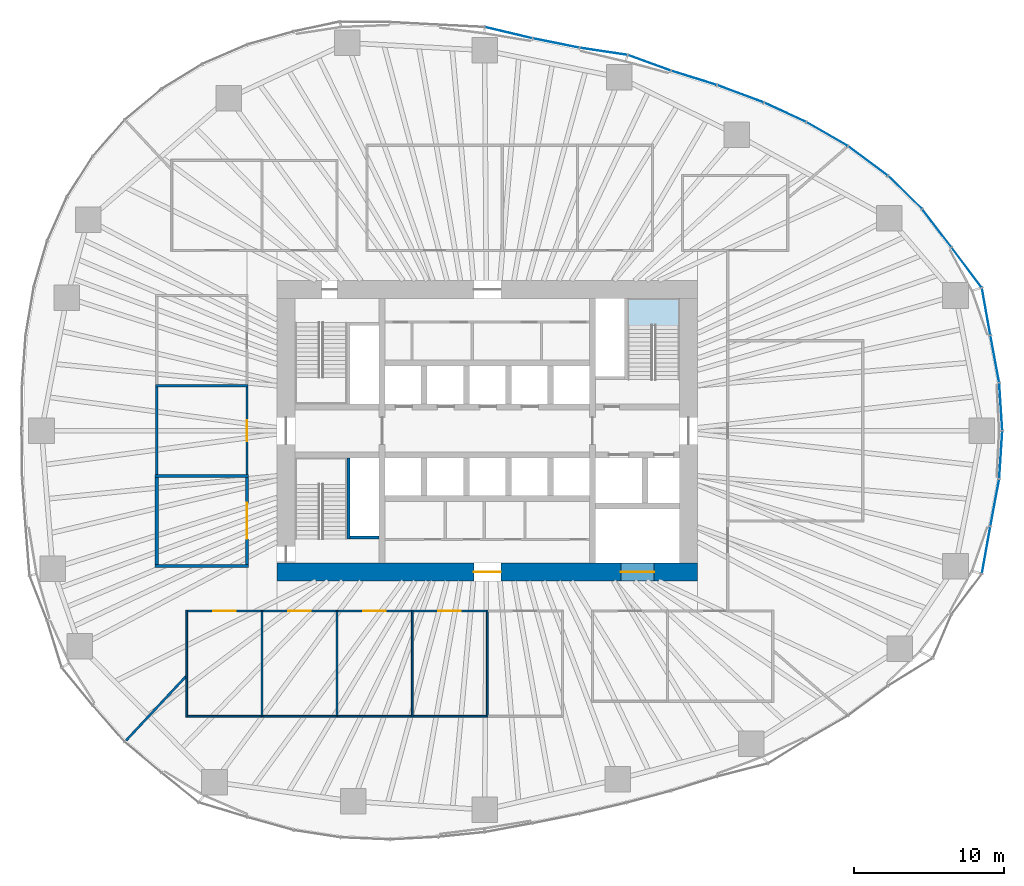
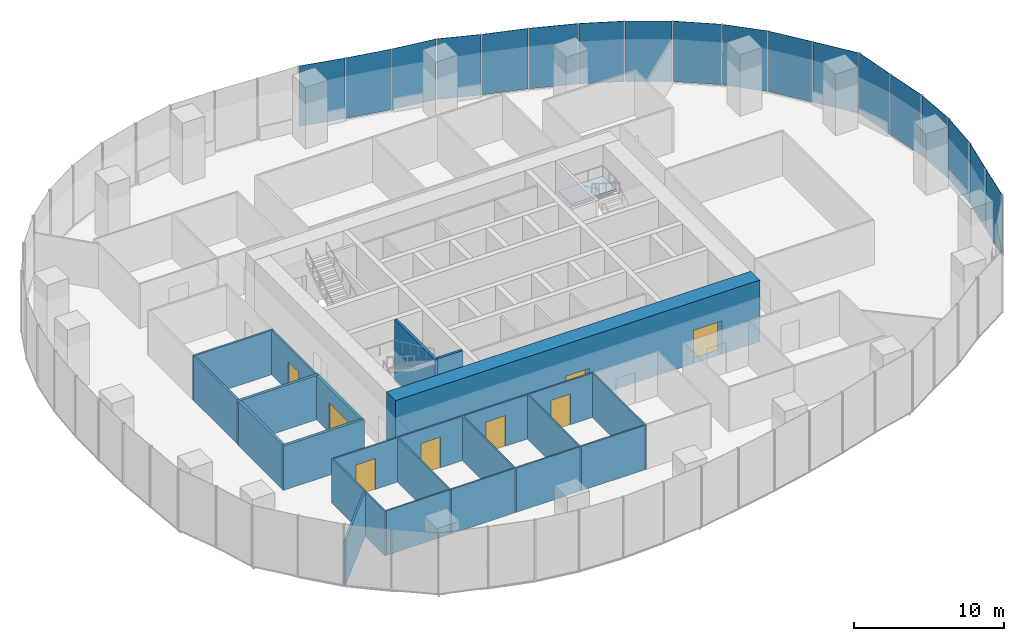
# One storey, part 9 of 20: 24 walls, 18 plates, 8 doors, 1 slab, 8 openings, 7 elements without a shape of their own.
"""IFC4 building model written with IfcOpenShell, lengths in metres."""

from ifc_helpers import new_model, si_unit, direction, frame, frame_2d, origin, origin_2d, place, context, subcontext, project, spatial, polyline, rectangle, outline, extrude, material, layer, layer_set, type_object, element, fill, aggregate, save


model = new_model("IFC4")

# Units and contexts
model_context = context("Model", 3, precision=1e-05, world=origin(), true_north=direction((0.0, 1.0)))
body_context = subcontext(model_context, "Body", "Model", "MODEL_VIEW")
ifc_project = project(units=[si_unit("LENGTHUNIT", "METRE"), si_unit("AREAUNIT", "SQUARE_METRE"), si_unit("VOLUMEUNIT", "CUBIC_METRE"), si_unit("PLANEANGLEUNIT", "RADIAN"), si_unit("MASSUNIT", "GRAM", prefix="KILO")], contexts=[model_context])

# Site, building, storey
site_placement = place(None, origin())
site = spatial("IfcSite", under=ifc_project, at=site_placement, CompositionType="ELEMENT")
building_placement = place(site_placement, origin())
building = spatial("IfcBuilding", under=site, at=building_placement, Name="Ghaith Harvest Tower", CompositionType="ELEMENT")
storey_placement = place(building_placement, frame((0.0, 0.0, 55.0)))
storey = spatial("IfcBuildingStorey", under=building, at=storey_placement, Name="L11", CompositionType="ELEMENT", Elevation=55.0)

# Curtain wall, plates
ifc_material_1 = material(Name="Black anodised aluminium and fritted glass", Category="aluminium")
curtain_wall_type = type_object("IfcCurtainWallType", Name="CW-F CURTAIN WALL", PredefinedType="NOTDEFINED", material=ifc_material_1)
curtain_wall_1_placement = place(storey_placement, origin())
curtain_wall_1 = element("IfcCurtainWall", 1, at=curtain_wall_1_placement, inside=storey, type_object=curtain_wall_type, Name="Curtain wall CW-F bay 01 L11", PredefinedType="NOTDEFINED")
ifc_material_2 = material(Name="Glass, high-transmission fritted double glazed unit", Category="glass")
ifc_layer_1 = layer(ifc_material_2, 0.028076171875)
ifc_layer_set_1 = layer_set([ifc_layer_1], Name="CW-F VISION PANEL")
plate_type = type_object("IfcPlateType", Name="CW-F VISION PANEL", PredefinedType="CURTAIN_PANEL", material=ifc_layer_set_1)
plate_1_placement = place(storey_placement, frame((34.181396484375, 1.602783203125, 0.080078125), z_axis=(0.0, 0.0, 1.0), x_axis=(-0.064445645786, 0.997921218704, 0.0)))
plate_1 = element("IfcPlate", 2, at=plate_1_placement, type_object=plate_type, Name="CW-F panel 1 bay 01 L11", PredefinedType="CURTAIN_PANEL", context=body_context, shape_type="SweptSolid", body=[
    extrude(rectangle(XDim=3.132080078125, YDim=0.028076171875, at=origin_2d()), origin(), (0.0, 0.0, 1.0), 4.919921875),
])
plate_2_placement = place(storey_placement, frame((33.78369140625, 4.78076171875, 0.080078125), z_axis=(0.0, 0.0, 1.0), x_axis=(-0.183569249502, 0.983006780565, 0.0)))
plate_2 = element("IfcPlate", 3, at=plate_2_placement, type_object=plate_type, Name="CW-F panel 2 bay 01 L11", PredefinedType="CURTAIN_PANEL", context=body_context, shape_type="SweptSolid", body=[
    extrude(rectangle(XDim=3.12548828125, YDim=0.028076171875, at=origin_2d()), origin(), (0.0, 0.0, 1.0), 4.919921875),
])
plate_3_placement = place(storey_placement, frame((33.20654296875, 7.93603515625, 0.080078125), z_axis=(0.0, 0.0, 1.0), x_axis=(-0.176319663586, 0.984332960046, 0.0)))
plate_3 = element("IfcPlate", 4, at=plate_3_placement, type_object=plate_type, Name="CW-F panel 3 bay 01 L11", PredefinedType="CURTAIN_PANEL", context=body_context, shape_type="SweptSolid", body=[
    extrude(rectangle(XDim=3.129638671875, YDim=0.028076171875, at=origin_2d()), origin(), (0.0, 0.0, 1.0), 4.919921875),
])
aggregate(curtain_wall_1, [plate_1, plate_2, plate_3])

curtain_wall_2_placement = place(storey_placement, origin())
curtain_wall_2 = element("IfcCurtainWall", 5, at=curtain_wall_2_placement, inside=storey, type_object=curtain_wall_type, Name="Curtain wall CW-F bay 02 L11", PredefinedType="NOTDEFINED")
plate_4_placement = place(storey_placement, frame((31.91015625, 10.865234375, 0.080078125), z_axis=(0.0, 0.0, 1.0), x_axis=(-0.600454091192, 0.799659230154, 0.0)))
plate_4 = element("IfcPlate", 6, at=plate_4_placement, type_object=plate_type, Name="CW-F panel 1 bay 02 L11", PredefinedType="CURTAIN_PANEL", context=body_context, shape_type="SweptSolid", body=[
    extrude(rectangle(XDim=3.295654296875, YDim=0.028076171875, at=origin_2d()), origin(), (0.0, 0.0, 1.0), 4.919921875),
])
plate_5_placement = place(storey_placement, frame((29.921875, 13.4892578125, 0.080078125), z_axis=(0.0, 0.0, 1.0), x_axis=(-0.607611877494, 0.794234100457, 0.0)))
plate_5 = element("IfcPlate", 7, at=plate_5_placement, type_object=plate_type, Name="CW-F panel 2 bay 02 L11", PredefinedType="CURTAIN_PANEL", context=body_context, shape_type="SweptSolid", body=[
    extrude(rectangle(XDim=3.128662109375, YDim=0.028076171875, at=origin_2d()), origin(), (0.0, 0.0, 1.0), 4.919921875),
])
plate_6_placement = place(storey_placement, frame((27.810546875, 15.869384765625, 0.080078125), z_axis=(0.0, 0.0, 1.0), x_axis=(-0.716691335472, 0.69739051446, 0.0)))
plate_6 = element("IfcPlate", 8, at=plate_6_placement, type_object=plate_type, Name="CW-F panel 3 bay 02 L11", PredefinedType="CURTAIN_PANEL", context=body_context, shape_type="SweptSolid", body=[
    extrude(rectangle(XDim=3.092041015625, YDim=0.028076171875, at=origin_2d()), origin(), (0.0, 0.0, 1.0), 4.919921875),
])
aggregate(curtain_wall_2, [plate_4, plate_5, plate_6])

curtain_wall_3_placement = place(storey_placement, origin())
curtain_wall_3 = element("IfcCurtainWall", 9, at=curtain_wall_3_placement, inside=storey, type_object=curtain_wall_type, Name="Curtain wall CW-F bay 03 L11", PredefinedType="NOTDEFINED")
plate_7_placement = place(storey_placement, frame((25.34619140625, 17.96142578125, 0.080078125), z_axis=(0.0, 0.0, 1.0), x_axis=(-0.802866788578, 0.596158468697, 0.0)))
plate_7 = element("IfcPlate", 10, at=plate_7_placement, type_object=plate_type, Name="CW-F panel 1 bay 03 L11", PredefinedType="CURTAIN_PANEL", context=body_context, shape_type="SweptSolid", body=[
    extrude(rectangle(XDim=3.2275390625, YDim=0.028076171875, at=origin_2d()), origin(), (0.0, 0.0, 1.0), 4.919921875),
])
plate_8_placement = place(storey_placement, frame((22.626953125, 19.750244140625, 0.080078125), z_axis=(0.0, 0.0, 1.0), x_axis=(-0.866159208358, 0.499768172033, 0.0)))
plate_8 = element("IfcPlate", 11, at=plate_8_placement, type_object=plate_type, Name="CW-F panel 2 bay 03 L11", PredefinedType="CURTAIN_PANEL", context=body_context, shape_type="SweptSolid", body=[
    extrude(rectangle(XDim=3.1328125, YDim=0.028076171875, at=origin_2d()), origin(), (0.0, 0.0, 1.0), 4.919921875),
])
plate_9_placement = place(storey_placement, frame((19.8291015625, 21.19970703125, 0.080078125), z_axis=(0.0, 0.0, 1.0), x_axis=(-0.908529586897, 0.417820523351, 0.0)))
plate_9 = element("IfcPlate", 12, at=plate_9_placement, type_object=plate_type, Name="CW-F panel 3 bay 03 L11", PredefinedType="CURTAIN_PANEL", context=body_context, shape_type="SweptSolid", body=[
    extrude(rectangle(XDim=3.01611328125, YDim=0.028076171875, at=origin_2d()), origin(), (0.0, 0.0, 1.0), 4.919921875),
])
aggregate(curtain_wall_3, [plate_7, plate_8, plate_9])

curtain_wall_4_placement = place(storey_placement, origin())
curtain_wall_4 = element("IfcCurtainWall", 13, at=curtain_wall_4_placement, inside=storey, type_object=curtain_wall_type, Name="Curtain wall CW-F bay 04 L11", PredefinedType="NOTDEFINED")
plate_10_placement = place(storey_placement, frame((16.85498046875, 22.431396484375, 0.080078125), z_axis=(0.0, 0.0, 1.0), x_axis=(-0.936926487964, 0.349526474178, 0.0)))
plate_10 = element("IfcPlate", 14, at=plate_10_placement, type_object=plate_type, Name="CW-F panel 1 bay 04 L11", PredefinedType="CURTAIN_PANEL", context=body_context, shape_type="SweptSolid", body=[
    extrude(rectangle(XDim=3.26611328125, YDim=0.028076171875, at=origin_2d()), origin(), (0.0, 0.0, 1.0), 4.919921875),
])
plate_11_placement = place(storey_placement, frame((13.760986328125, 23.490234375, 0.080078125), z_axis=(0.0, 0.0, 1.0), x_axis=(-0.954988265421, 0.296643578911, 0.0)))
plate_11 = element("IfcPlate", 15, at=plate_11_placement, type_object=plate_type, Name="CW-F panel 2 bay 04 L11", PredefinedType="CURTAIN_PANEL", context=body_context, shape_type="SweptSolid", body=[
    extrude(rectangle(XDim=3.1171875, YDim=0.028076171875, at=origin_2d()), origin(), (0.0, 0.0, 1.0), 4.919921875),
])
plate_12_placement = place(storey_placement, frame((10.793212890625, 24.490234375, 0.080078125), z_axis=(0.0, 0.0, 1.0), x_axis=(-0.939438435482, 0.342717705902, 0.0)))
plate_12 = element("IfcPlate", 16, at=plate_12_placement, type_object=plate_type, Name="CW-F panel 3 bay 04 L11", PredefinedType="CURTAIN_PANEL", context=body_context, shape_type="SweptSolid", body=[
    extrude(rectangle(XDim=2.98828125, YDim=0.028076171875, at=origin_2d()), origin(), (0.0, 0.0, 1.0), 4.919921875),
])
aggregate(curtain_wall_4, [plate_10, plate_11, plate_12])

curtain_wall_5_placement = place(storey_placement, origin())
curtain_wall_5 = element("IfcCurtainWall", 17, at=curtain_wall_5_placement, inside=storey, type_object=curtain_wall_type, Name="Curtain wall CW-F bay 05 L11", PredefinedType="NOTDEFINED")
plate_13_placement = place(storey_placement, frame((7.744384765625, 25.255615234375, 0.080078125), z_axis=(0.0, 0.0, 1.0), x_axis=(-0.989074249382, 0.147418211935, 0.0)))
plate_13 = element("IfcPlate", 18, at=plate_13_placement, type_object=plate_type, Name="CW-F panel 1 bay 05 L11", PredefinedType="CURTAIN_PANEL", context=body_context, shape_type="SweptSolid", body=[
    extrude(rectangle(XDim=3.17041015625, YDim=0.028076171875, at=origin_2d()), origin(), (0.0, 0.0, 1.0), 4.919921875),
])
plate_14_placement = place(storey_placement, frame((4.5732421875, 25.809326171875, 0.080078125), z_axis=(0.0, 0.0, 1.0), x_axis=(-0.980432348069, 0.196856320344, 0.0)))
plate_14 = element("IfcPlate", 19, at=plate_14_placement, type_object=plate_type, Name="CW-F panel 2 bay 05 L11", PredefinedType="CURTAIN_PANEL", context=body_context, shape_type="SweptSolid", body=[
    extrude(rectangle(XDim=3.1103515625, YDim=0.028076171875, at=origin_2d()), origin(), (0.0, 0.0, 1.0), 4.919921875),
])
plate_15_placement = place(storey_placement, frame((1.41259765625, 26.500244140625, 0.080078125), z_axis=(0.0, 0.0, 1.0), x_axis=(-0.97324595378, 0.229765779545, 0.0)))
plate_15 = element("IfcPlate", 20, at=plate_15_placement, type_object=plate_type, Name="CW-F panel 3 bay 05 L11", PredefinedType="CURTAIN_PANEL", context=body_context, shape_type="SweptSolid", body=[
    extrude(rectangle(XDim=3.200927734375, YDim=0.028076171875, at=origin_2d()), origin(), (0.0, 0.0, 1.0), 4.919921875),
])
aggregate(curtain_wall_5, [plate_13, plate_14, plate_15])

curtain_wall_6_placement = place(storey_placement, origin())
curtain_wall_6 = element("IfcCurtainWall", 21, at=curtain_wall_6_placement, inside=storey, type_object=curtain_wall_type, Name="Curtain wall CW-F bay 20 L11", PredefinedType="NOTDEFINED")
plate_16_placement = place(storey_placement, frame((33.20654296875, -7.93603515625, 0.080078125), z_axis=(0.0, 0.0, 1.0), x_axis=(0.176319663878, 0.984332959994, 0.0)))
plate_16 = element("IfcPlate", 22, at=plate_16_placement, type_object=plate_type, Name="CW-F panel 1 bay 20 L11", PredefinedType="CURTAIN_PANEL", context=body_context, shape_type="SweptSolid", body=[
    extrude(rectangle(XDim=3.129638671875, YDim=0.028076171875, at=origin_2d()), origin(), (0.0, 0.0, 1.0), 4.919921875),
])
plate_17_placement = place(storey_placement, frame((33.78369140625, -4.78076171875, 0.080078125), z_axis=(0.0, 0.0, 1.0), x_axis=(0.183569249777, 0.983006780514, 0.0)))
plate_17 = element("IfcPlate", 23, at=plate_17_placement, type_object=plate_type, Name="CW-F panel 2 bay 20 L11", PredefinedType="CURTAIN_PANEL", context=body_context, shape_type="SweptSolid", body=[
    extrude(rectangle(XDim=3.12548828125, YDim=0.028076171875, at=origin_2d()), origin(), (0.0, 0.0, 1.0), 4.919921875),
])
plate_18_placement = place(storey_placement, frame((34.181396484375, -1.602783203125, 0.080078125), z_axis=(0.0, 0.0, 1.0), x_axis=(0.064445645891, 0.997921218697, 0.0)))
plate_18 = element("IfcPlate", 24, at=plate_18_placement, type_object=plate_type, Name="CW-F panel 3 bay 20 L11", PredefinedType="CURTAIN_PANEL", context=body_context, shape_type="SweptSolid", body=[
    extrude(rectangle(XDim=3.132080078125, YDim=0.028076171875, at=origin_2d()), origin(), (0.0, 0.0, 1.0), 4.919921875),
])
aggregate(curtain_wall_6, [plate_16, plate_17, plate_18])

# Stair, slab
ifc_material_3 = material(Name="Concrete C40/50, precast", Category="concrete")
stair_type = type_object("IfcStairType", Name="CORE STAIR 28R", PredefinedType="HALF_TURN_STAIR", material=ifc_material_3)
stair_placement = place(storey_placement, origin())
stair = element("IfcStair", 25, at=stair_placement, inside=storey, type_object=stair_type, Name="Stair ST2 L11", PredefinedType="HALF_TURN_STAIR")
ifc_material_4 = material(Name="Concrete C40/50, precast", Category="concrete")
ifc_layer_2 = layer(ifc_material_4, 0.179931640625)
ifc_layer_set_2 = layer_set([ifc_layer_2], Name="STAIR LANDING 180")
slab_type = type_object("IfcSlabType", Name="STAIR LANDING 180", PredefinedType="LANDING", material=ifc_layer_set_2)
slab_placement = place(storey_placement, frame((0.0, 0.0, 2.320068359375)))
slab = element("IfcSlab", 26, at=slab_placement, type_object=slab_type, Name="ST2 landing 1", PredefinedType="LANDING", context=body_context, shape_type="SweptSolid", body=[
    extrude(outline(polyline([(12.800048828125, 7.02001953125), (12.800048828125, 8.800048828125), (9.35009765625, 8.800048828125), (9.35009765625, 7.02001953125), (12.800048828125, 7.02001953125)])), origin(), (0.0, 0.0, 1.0), 0.179931640625),
])
aggregate(stair, [slab])

# Walls
ifc_material_5 = material(Name="Concrete blockwork, 1-hour", Category="masonry")
ifc_layer_3 = layer(ifc_material_5, 0.215087890625)
ifc_layer_set_3 = layer_set([ifc_layer_3], Name="BLOCKWORK WALL 215")
wall_type_1 = type_object("IfcWallType", Name="BLOCKWORK WALL 215", PredefinedType="PARTITIONING", material=ifc_layer_set_3)
for number, where, z_axis, x_axis, name in (
    (27, (-15.892578125, -9.0, 0.0), (0.0, 0.0, 1.0), (-1.0, 0.0, 0.0), "Partition L11 row W6 cross wall 1"),
    (28, (-15.892578125, -3.0, 0.0), (0.0, 0.0, 1.0), (-1.0, 0.0, 0.0), "Partition L11 row W6 cross wall 2"),
):
    element("IfcWall", number, at=place(storey_placement, frame(where, z_axis=z_axis, x_axis=x_axis)), inside=storey, type_object=wall_type_1, Name=name, PredefinedType="PARTITIONING", context=body_context, shape_type="SweptSolid", body=[
        extrude(rectangle(XDim=6.21484375, YDim=0.215087890625, at=frame_2d((3.107421875, 0.0))), origin(), (0.0, 0.0, 1.0), 3.60009765625),
    ])

# Wall, opening, door
wall_1_placement = place(storey_placement, frame((-16.0, -8.892578125, 0.0), z_axis=(0.0, 0.0, 1.0), x_axis=(0.0, 1.0, 0.0)))
wall_1 = element("IfcWall", 29, at=wall_1_placement, inside=storey, type_object=wall_type_1, Name="Partition L11-14", PredefinedType="PARTITIONING", context=body_context, shape_type="SweptSolid", body=[
    extrude(rectangle(XDim=5.78515625, YDim=0.215087890625, at=frame_2d((2.892578125, 0.0))), origin(), (0.0, 0.0, 1.0), 3.60009765625),
])
opening_1_placement = place(wall_1_placement, frame((1.6923828125, 0.0, 0.0)))
opening_1 = element("IfcOpeningElement", 30, at=opening_1_placement, cuts=wall_1, Name="Opening 11-038", PredefinedType="OPENING", context=body_context, shape_type="SweptSolid", body=[
    extrude(rectangle(XDim=2.39990234375, YDim=2.39990234375, at=frame_2d((1.199951171875, 1.199951171875))), frame((0.0, 0.11767578125, 0.0), z_axis=(0.0, -1.0, 0.0), x_axis=(1.0, 0.0, 0.0)), (0.0, 0.0, 1.0), 0.235107421875),
])
ifc_material_6 = material(Name="Timber door", Category="wood")
door_type_1 = type_object("IfcDoorType", Name="D10 PLANT PAIR 2400x2400", OperationType="DOUBLE_DOOR_SINGLE_SWING", PredefinedType="DOOR", material=ifc_material_6)
door_1_placement = place(opening_1_placement, origin())
door_1 = element("IfcDoor", 31, at=door_1_placement, inside=storey, type_object=door_type_1, Name="Nutrient tank room door", OperationType="DOUBLE_DOOR_SINGLE_SWING", OverallHeight=2.39990234375, OverallWidth=2.39990234375, PredefinedType="DOOR", context=body_context, shape_type="SweptSolid", body=[
    extrude(rectangle(XDim=2.39990234375, YDim=2.39990234375, at=frame_2d((1.199951171875, 1.199951171875))), frame((0.0, 0.02490234375, 0.0), z_axis=(0.0, -1.0, 0.0), x_axis=(1.0, 0.0, 0.0)), (0.0, 0.0, 1.0), 0.050048828125),
])
fill(opening_1, door_1)

# Wall
wall_2_placement = place(storey_placement, frame((-22.0, -8.892578125, 0.0), z_axis=(0.0, 0.0, 1.0), x_axis=(0.0, 1.0, 0.0)))
element("IfcWall", 32, at=wall_2_placement, inside=storey, type_object=wall_type_1, Name="Partition L11-14", PredefinedType="PARTITIONING", context=body_context, shape_type="SweptSolid", body=[
    extrude(rectangle(XDim=5.78515625, YDim=0.215087890625, at=frame_2d((2.892578125, 0.0))), origin(), (0.0, 0.0, 1.0), 3.60009765625),
])

# Wall, openings, doors
ifc_material_7 = material(Name="Concrete C70/85", Category="concrete")
ifc_layer_4 = layer(ifc_material_7, 1.199951171875)
ifc_layer_set_4 = layer_set([ifc_layer_4], Name="CORE WALL CW1200")
wall_type_2 = type_object("IfcWallType", Name="CORE WALL CW1200", PredefinedType="SHEAR", material=ifc_layer_set_4)
wall_3_placement = place(storey_placement, frame((-14.0, -9.39990234375, 0.0), z_axis=(0.0, 0.0, 1.0), x_axis=(1.0, 0.0, 0.0)))
wall_3 = element("IfcWall", 33, at=wall_3_placement, inside=storey, type_object=wall_type_2, Name="Core wall S L11", PredefinedType="SHEAR", context=body_context, shape_type="SweptSolid", body=[
    extrude(rectangle(XDim=28.0, YDim=1.199951171875, at=frame_2d((14.0, 0.0))), origin(), (0.0, 0.0, 1.0), 5.0),
])
opening_2_placement = place(wall_3_placement, frame((13.10009765625, 0.0, 0.0)))
opening_2 = element("IfcOpeningElement", 34, at=opening_2_placement, cuts=wall_3, Name="Opening 11-017", PredefinedType="OPENING", context=body_context, shape_type="SweptSolid", body=[
    extrude(rectangle(XDim=1.800048828125, YDim=2.39990234375, at=frame_2d((0.89990234375, 1.199951171875))), frame((0.0, 0.60986328125, 0.0), z_axis=(0.0, -1.0, 0.0), x_axis=(1.0, 0.0, 0.0)), (0.0, 0.0, 1.0), 1.219970703125),
])
opening_3_placement = place(wall_3_placement, frame((22.89990234375, 0.0, 0.0)))
opening_3 = element("IfcOpeningElement", 35, at=opening_3_placement, cuts=wall_3, Name="Opening 11-024", PredefinedType="OPENING", context=body_context, shape_type="SweptSolid", body=[
    extrude(rectangle(XDim=2.199951171875, YDim=2.699951171875, at=frame_2d((1.10009765625, 1.35009765625))), frame((0.0, 0.60986328125, 0.0), z_axis=(0.0, -1.0, 0.0), x_axis=(1.0, 0.0, 0.0)), (0.0, 0.0, 1.0), 1.219970703125),
])
ifc_material_8 = material(Name="Steel fire door", Category="steel")
door_type_2 = type_object("IfcDoorType", Name="D4 FD90 PAIR 1800x2400", OperationType="DOUBLE_DOOR_SINGLE_SWING", PredefinedType="DOOR", material=ifc_material_8)
door_2_placement = place(opening_2_placement, origin())
door_2 = element("IfcDoor", 36, at=door_2_placement, inside=storey, type_object=door_type_2, Name="Core service corridor doors", OperationType="DOUBLE_DOOR_SINGLE_SWING", OverallHeight=2.39990234375, OverallWidth=1.800048828125, PredefinedType="DOOR", context=body_context, shape_type="SweptSolid", body=[
    extrude(rectangle(XDim=1.800048828125, YDim=2.39990234375, at=frame_2d((0.89990234375, 1.199951171875))), frame((0.0, 0.02490234375, 0.0), z_axis=(0.0, -1.0, 0.0), x_axis=(1.0, 0.0, 0.0)), (0.0, 0.0, 1.0), 0.050048828125),
])
fill(opening_2, door_2)
ifc_material_9 = material(Name="Steel fire door", Category="steel")
door_type_3 = type_object("IfcDoorType", Name="LD3 LANDING 2200x2700", OperationType="DOUBLE_DOOR_SLIDING", PredefinedType="DOOR", material=ifc_material_9)
door_3_placement = place(opening_3_placement, origin())
door_3 = element("IfcDoor", 37, at=door_3_placement, inside=storey, type_object=door_type_3, Name="Landing door, goods lift GL1", OperationType="DOUBLE_DOOR_SLIDING", OverallHeight=2.699951171875, OverallWidth=2.199951171875, PredefinedType="DOOR", context=body_context, shape_type="SweptSolid", body=[
    extrude(rectangle(XDim=2.199951171875, YDim=2.699951171875, at=frame_2d((1.10009765625, 1.35009765625))), frame((0.0, 0.02490234375, 0.0), z_axis=(0.0, -1.0, 0.0), x_axis=(1.0, 0.0, 0.0)), (0.0, 0.0, 1.0), 0.050048828125),
])
fill(opening_3, door_3)

# Walls
ifc_material_10 = material(Name="Insulated food-grade panel", Category="steel")
ifc_layer_5 = layer(ifc_material_10, 0.1201171875)
ifc_layer_set_5 = layer_set([ifc_layer_5], Name="INSULATED PANEL WALL 120")
wall_type_3 = type_object("IfcWallType", Name="INSULATED PANEL WALL 120", PredefinedType="PARTITIONING", material=ifc_layer_set_5)
for number, where, z_axis, x_axis, name in (
    (38, (-20.0, -11.93994140625, 0.0), (0.0, 0.0, 1.0), (0.0, -1.0, 0.0), "Partition L11 row S1 cross wall 1"),
    (39, (-15.0, -11.93994140625, 0.0), (0.0, 0.0, 1.0), (0.0, -1.0, 0.0), "Partition L11 row S1 cross wall 2"),
    (40, (-10.0, -11.93994140625, 0.0), (0.0, 0.0, 1.0), (0.0, -1.0, 0.0), "Partition L11 row S1 cross wall 3"),
    (41, (-5.0, -11.93994140625, 0.0), (0.0, 0.0, 1.0), (0.0, -1.0, 0.0), "Partition L11 row S1 cross wall 4"),
    (42, (0.0, -11.93994140625, 0.0), (0.0, 0.0, 1.0), (0.0, -1.0, 0.0), "Partition L11 row S1 cross wall 5"),
):
    element("IfcWall", number, at=place(storey_placement, frame(where, z_axis=z_axis, x_axis=x_axis)), inside=storey, type_object=wall_type_3, Name=name, PredefinedType="PARTITIONING", context=body_context, shape_type="SweptSolid", body=[
        extrude(rectangle(XDim=7.1201171875, YDim=0.1201171875, at=frame_2d((3.56005859375, 0.0))), origin(), (0.0, 0.0, 1.0), 3.60009765625),
    ])

# Wall, opening, door
wall_4_placement = place(storey_placement, frame((-19.93994140625, -12.0, 0.0), z_axis=(0.0, 0.0, 1.0), x_axis=(1.0, 0.0, 0.0)))
wall_4 = element("IfcWall", 43, at=wall_4_placement, inside=storey, type_object=wall_type_3, Name="Partition L11-01", PredefinedType="PARTITIONING", context=body_context, shape_type="SweptSolid", body=[
    extrude(rectangle(XDim=4.8798828125, YDim=0.1201171875, at=frame_2d((2.43994140625, 0.0))), origin(), (0.0, 0.0, 1.0), 3.60009765625),
])
opening_4_placement = place(wall_4_placement, frame((1.68994140625, 0.0, 0.0)))
opening_4 = element("IfcOpeningElement", 44, at=opening_4_placement, cuts=wall_4, Name="Opening 11-025", PredefinedType="OPENING", context=body_context, shape_type="SweptSolid", body=[
    extrude(rectangle(XDim=1.5, YDim=2.5, at=frame_2d((0.75, 1.25))), frame((0.0, 0.070068359375, 0.0), z_axis=(0.0, -1.0, 0.0), x_axis=(1.0, 0.0, 0.0)), (0.0, 0.0, 1.0), 0.14013671875),
])
ifc_material_11 = material(Name="Insulated steel sliding door", Category="steel")
door_type_4 = type_object("IfcDoorType", Name="D13 COLD STORE SLIDING 1500x2500", OperationType="SLIDING_TO_LEFT", PredefinedType="DOOR", material=ifc_material_11)
door_4_placement = place(opening_4_placement, origin())
door_4 = element("IfcDoor", 45, at=door_4_placement, inside=storey, type_object=door_type_4, Name="Microgreen chamber door", OperationType="SLIDING_TO_LEFT", OverallHeight=2.5, OverallWidth=1.5, PredefinedType="DOOR", context=body_context, shape_type="SweptSolid", body=[
    extrude(rectangle(XDim=1.5, YDim=2.5, at=frame_2d((0.75, 1.25))), frame((0.0, 0.02490234375, 0.0), z_axis=(0.0, -1.0, 0.0), x_axis=(1.0, 0.0, 0.0)), (0.0, 0.0, 1.0), 0.050048828125),
])
fill(opening_4, door_4)

# Wall
wall_5_placement = place(storey_placement, frame((-19.93994140625, -19.0, 0.0), z_axis=(0.0, 0.0, 1.0), x_axis=(1.0, 0.0, 0.0)))
element("IfcWall", 46, at=wall_5_placement, inside=storey, type_object=wall_type_3, Name="Partition L11-01", PredefinedType="PARTITIONING", context=body_context, shape_type="SweptSolid", body=[
    extrude(rectangle(XDim=4.8798828125, YDim=0.1201171875, at=frame_2d((2.43994140625, 0.0))), origin(), (0.0, 0.0, 1.0), 3.60009765625),
])

# Wall, opening, door
wall_6_placement = place(storey_placement, frame((-14.93994140625, -12.0, 0.0), z_axis=(0.0, 0.0, 1.0), x_axis=(1.0, 0.0, 0.0)))
wall_6 = element("IfcWall", 47, at=wall_6_placement, inside=storey, type_object=wall_type_3, Name="Partition L11-02", PredefinedType="PARTITIONING", context=body_context, shape_type="SweptSolid", body=[
    extrude(rectangle(XDim=4.8798828125, YDim=0.1201171875, at=frame_2d((2.43994140625, 0.0))), origin(), (0.0, 0.0, 1.0), 3.60009765625),
])
opening_5_placement = place(wall_6_placement, frame((1.68994140625, 0.0, 0.0)))
opening_5 = element("IfcOpeningElement", 48, at=opening_5_placement, cuts=wall_6, Name="Opening 11-026", PredefinedType="OPENING", context=body_context, shape_type="SweptSolid", body=[
    extrude(rectangle(XDim=1.5, YDim=2.5, at=frame_2d((0.75, 1.25))), frame((0.0, 0.070068359375, 0.0), z_axis=(0.0, -1.0, 0.0), x_axis=(1.0, 0.0, 0.0)), (0.0, 0.0, 1.0), 0.14013671875),
])
door_5_placement = place(opening_5_placement, origin())
door_5 = element("IfcDoor", 49, at=door_5_placement, inside=storey, type_object=door_type_4, Name="Microgreen chamber door", OperationType="SLIDING_TO_LEFT", OverallHeight=2.5, OverallWidth=1.5, PredefinedType="DOOR", context=body_context, shape_type="SweptSolid", body=[
    extrude(rectangle(XDim=1.5, YDim=2.5, at=frame_2d((0.75, 1.25))), frame((0.0, 0.02490234375, 0.0), z_axis=(0.0, -1.0, 0.0), x_axis=(1.0, 0.0, 0.0)), (0.0, 0.0, 1.0), 0.050048828125),
])
fill(opening_5, door_5)

# Wall
wall_7_placement = place(storey_placement, frame((-14.93994140625, -19.0, 0.0), z_axis=(0.0, 0.0, 1.0), x_axis=(1.0, 0.0, 0.0)))
element("IfcWall", 50, at=wall_7_placement, inside=storey, type_object=wall_type_3, Name="Partition L11-02", PredefinedType="PARTITIONING", context=body_context, shape_type="SweptSolid", body=[
    extrude(rectangle(XDim=4.8798828125, YDim=0.1201171875, at=frame_2d((2.43994140625, 0.0))), origin(), (0.0, 0.0, 1.0), 3.60009765625),
])

# Wall, opening, door
wall_8_placement = place(storey_placement, frame((-9.93994140625, -12.0, 0.0), z_axis=(0.0, 0.0, 1.0), x_axis=(1.0, 0.0, 0.0)))
wall_8 = element("IfcWall", 51, at=wall_8_placement, inside=storey, type_object=wall_type_3, Name="Partition L11-03", PredefinedType="PARTITIONING", context=body_context, shape_type="SweptSolid", body=[
    extrude(rectangle(XDim=4.8798828125, YDim=0.1201171875, at=frame_2d((2.43994140625, 0.0))), origin(), (0.0, 0.0, 1.0), 3.60009765625),
])
opening_6_placement = place(wall_8_placement, frame((1.68994140625, 0.0, 0.0)))
opening_6 = element("IfcOpeningElement", 52, at=opening_6_placement, cuts=wall_8, Name="Opening 11-027", PredefinedType="OPENING", context=body_context, shape_type="SweptSolid", body=[
    extrude(rectangle(XDim=1.5, YDim=2.5, at=frame_2d((0.75, 1.25))), frame((0.0, 0.070068359375, 0.0), z_axis=(0.0, -1.0, 0.0), x_axis=(1.0, 0.0, 0.0)), (0.0, 0.0, 1.0), 0.14013671875),
])
door_6_placement = place(opening_6_placement, origin())
door_6 = element("IfcDoor", 53, at=door_6_placement, inside=storey, type_object=door_type_4, Name="Microgreen chamber door", OperationType="SLIDING_TO_LEFT", OverallHeight=2.5, OverallWidth=1.5, PredefinedType="DOOR", context=body_context, shape_type="SweptSolid", body=[
    extrude(rectangle(XDim=1.5, YDim=2.5, at=frame_2d((0.75, 1.25))), frame((0.0, 0.02490234375, 0.0), z_axis=(0.0, -1.0, 0.0), x_axis=(1.0, 0.0, 0.0)), (0.0, 0.0, 1.0), 0.050048828125),
])
fill(opening_6, door_6)

# Wall
wall_9_placement = place(storey_placement, frame((-9.93994140625, -19.0, 0.0), z_axis=(0.0, 0.0, 1.0), x_axis=(1.0, 0.0, 0.0)))
element("IfcWall", 54, at=wall_9_placement, inside=storey, type_object=wall_type_3, Name="Partition L11-03", PredefinedType="PARTITIONING", context=body_context, shape_type="SweptSolid", body=[
    extrude(rectangle(XDim=4.8798828125, YDim=0.1201171875, at=frame_2d((2.43994140625, 0.0))), origin(), (0.0, 0.0, 1.0), 3.60009765625),
])

# Wall, opening, door
wall_10_placement = place(storey_placement, frame((-4.93994140625, -12.0, 0.0), z_axis=(0.0, 0.0, 1.0), x_axis=(1.0, 0.0, 0.0)))
wall_10 = element("IfcWall", 55, at=wall_10_placement, inside=storey, type_object=wall_type_3, Name="Partition L11-04", PredefinedType="PARTITIONING", context=body_context, shape_type="SweptSolid", body=[
    extrude(rectangle(XDim=4.8798828125, YDim=0.1201171875, at=frame_2d((2.43994140625, 0.0))), origin(), (0.0, 0.0, 1.0), 3.60009765625),
])
opening_7_placement = place(wall_10_placement, frame((1.68994140625, 0.0, 0.0)))
opening_7 = element("IfcOpeningElement", 56, at=opening_7_placement, cuts=wall_10, Name="Opening 11-028", PredefinedType="OPENING", context=body_context, shape_type="SweptSolid", body=[
    extrude(rectangle(XDim=1.5, YDim=2.5, at=frame_2d((0.75, 1.25))), frame((0.0, 0.070068359375, 0.0), z_axis=(0.0, -1.0, 0.0), x_axis=(1.0, 0.0, 0.0)), (0.0, 0.0, 1.0), 0.14013671875),
])
door_7_placement = place(opening_7_placement, origin())
door_7 = element("IfcDoor", 57, at=door_7_placement, inside=storey, type_object=door_type_4, Name="Microgreen chamber door", OperationType="SLIDING_TO_LEFT", OverallHeight=2.5, OverallWidth=1.5, PredefinedType="DOOR", context=body_context, shape_type="SweptSolid", body=[
    extrude(rectangle(XDim=1.5, YDim=2.5, at=frame_2d((0.75, 1.25))), frame((0.0, 0.02490234375, 0.0), z_axis=(0.0, -1.0, 0.0), x_axis=(1.0, 0.0, 0.0)), (0.0, 0.0, 1.0), 0.050048828125),
])
fill(opening_7, door_7)

# Walls
wall_11_placement = place(storey_placement, frame((-4.93994140625, -19.0, 0.0), z_axis=(0.0, 0.0, 1.0), x_axis=(1.0, 0.0, 0.0)))
element("IfcWall", 58, at=wall_11_placement, inside=storey, type_object=wall_type_3, Name="Partition L11-04", PredefinedType="PARTITIONING", context=body_context, shape_type="SweptSolid", body=[
    extrude(rectangle(XDim=4.8798828125, YDim=0.1201171875, at=frame_2d((2.43994140625, 0.0))), origin(), (0.0, 0.0, 1.0), 3.60009765625),
])
ifc_material_12 = material(Name="Gypsum board on steel studs", Category="steel")
ifc_layer_6 = layer(ifc_material_12, 0.14990234375)
ifc_layer_set_6 = layer_set([ifc_layer_6], Name="PARTITION 150")
wall_type_4 = type_object("IfcWallType", Name="PARTITION 150", PredefinedType="PARTITIONING", material=ifc_layer_set_6)
wall_12_placement = place(storey_placement, frame((-15.925048828125, 3.0, 0.0), z_axis=(0.0, 0.0, 1.0), x_axis=(-1.0, 0.0, 0.0)))
element("IfcWall", 59, at=wall_12_placement, inside=storey, type_object=wall_type_4, Name="Partition L11 row W6 cross wall 3", PredefinedType="PARTITIONING", context=body_context, shape_type="SweptSolid", body=[
    extrude(rectangle(XDim=6.14990234375, YDim=0.14990234375, at=frame_2d((3.074951171875, 0.0))), origin(), (0.0, 0.0, 1.0), 3.60009765625),
])

# Wall, opening, door
wall_13_placement = place(storey_placement, frame((-16.0, -2.892578125, 0.0), z_axis=(0.0, 0.0, 1.0), x_axis=(0.0, 1.0, 0.0)))
wall_13 = element("IfcWall", 60, at=wall_13_placement, inside=storey, type_object=wall_type_4, Name="Partition L11-15", PredefinedType="PARTITIONING", context=body_context, shape_type="SweptSolid", body=[
    extrude(rectangle(XDim=5.817626953125, YDim=0.14990234375, at=frame_2d((2.90869140625, 0.0))), origin(), (0.0, 0.0, 1.0), 3.60009765625),
])
opening_8_placement = place(wall_13_placement, frame((2.208740234375, 0.0, 0.0)))
opening_8 = element("IfcOpeningElement", 61, at=opening_8_placement, cuts=wall_13, Name="Opening 11-039", PredefinedType="OPENING", context=body_context, shape_type="SweptSolid", body=[
    extrude(rectangle(XDim=1.39990234375, YDim=2.39990234375, at=frame_2d((0.699951171875, 1.199951171875))), frame((0.0, 0.0849609375, 0.0), z_axis=(0.0, -1.0, 0.0), x_axis=(1.0, 0.0, 0.0)), (0.0, 0.0, 1.0), 0.169921875),
])
ifc_material_13 = material(Name="Stainless steel faced door pair", Category="steel")
door_type_5 = type_object("IfcDoorType", Name="D14 HYGIENE PAIR 1400x2400", OperationType="DOUBLE_DOOR_DOUBLE_SWING", PredefinedType="DOOR", material=ifc_material_13)
door_8_placement = place(opening_8_placement, origin())
door_8 = element("IfcDoor", 62, at=door_8_placement, inside=storey, type_object=door_type_5, Name="Tray wash room door", OperationType="DOUBLE_DOOR_DOUBLE_SWING", OverallHeight=2.39990234375, OverallWidth=1.39990234375, PredefinedType="DOOR", context=body_context, shape_type="SweptSolid", body=[
    extrude(rectangle(XDim=1.39990234375, YDim=2.39990234375, at=frame_2d((0.699951171875, 1.199951171875))), frame((0.0, 0.02490234375, 0.0), z_axis=(0.0, -1.0, 0.0), x_axis=(1.0, 0.0, 0.0)), (0.0, 0.0, 1.0), 0.050048828125),
])
fill(opening_8, door_8)

# Walls
wall_14_placement = place(storey_placement, frame((-22.0, -2.892578125, 0.0), z_axis=(0.0, 0.0, 1.0), x_axis=(0.0, 1.0, 0.0)))
element("IfcWall", 63, at=wall_14_placement, inside=storey, type_object=wall_type_4, Name="Partition L11-15", PredefinedType="PARTITIONING", context=body_context, shape_type="SweptSolid", body=[
    extrude(rectangle(XDim=5.817626953125, YDim=0.14990234375, at=frame_2d((2.90869140625, 0.0))), origin(), (0.0, 0.0, 1.0), 3.60009765625),
])
wall_15_placement = place(storey_placement, frame((-20.02001953125, -16.3046875, 0.0), z_axis=(0.0, 0.0, 1.0), x_axis=(-0.682516386928, -0.730870290527, 0.0)))
element("IfcWall", 64, at=wall_15_placement, inside=storey, type_object=wall_type_4, Name="Partition L11 zone division", PredefinedType="PARTITIONING", context=body_context, shape_type="SweptSolid", body=[
    extrude(rectangle(XDim=5.882080078125, YDim=0.14990234375, at=frame_2d((2.94091796875, 0.0))), origin(), (0.0, 0.0, 1.0), 3.60009765625),
])
ifc_material_14 = material(Name="Concrete C40/50", Category="concrete")
ifc_layer_7 = layer(ifc_material_14, 0.199951171875)
ifc_layer_set_7 = layer_set([ifc_layer_7], Name="STAIR SPINE WALL RC200")
wall_type_5 = type_object("IfcWallType", Name="STAIR SPINE WALL RC200", PredefinedType="SOLIDWALL", material=ifc_layer_set_7)
wall_16_placement = place(storey_placement, frame((-9.25, -7.199951171875, 0.0), z_axis=(0.0, 0.0, 1.0), x_axis=(0.0, 1.0, 0.0)))
element("IfcWall", 65, at=wall_16_placement, inside=storey, type_object=wall_type_5, Name="Stair ST3 spine wall L11", PredefinedType="SOLIDWALL", context=body_context, shape_type="SweptSolid", body=[
    extrude(rectangle(XDim=5.39990234375, YDim=0.199951171875, at=frame_2d((2.699951171875, 0.0))), origin(), (0.0, 0.0, 1.0), 5.0),
])
wall_17_placement = place(storey_placement, frame((-9.14990234375, -7.10009765625, 0.0), z_axis=(0.0, 0.0, 1.0), x_axis=(1.0, 0.0, 0.0)))
element("IfcWall", 66, at=wall_17_placement, inside=storey, type_object=wall_type_5, Name="Stair ST3 spine wall return L11", PredefinedType="SOLIDWALL", context=body_context, shape_type="SweptSolid", body=[
    extrude(rectangle(XDim=1.949951171875, YDim=0.199951171875, at=frame_2d((0.97509765625, 0.0))), origin(), (0.0, 0.0, 1.0), 5.0),
])

save(model, "model.ifc")
